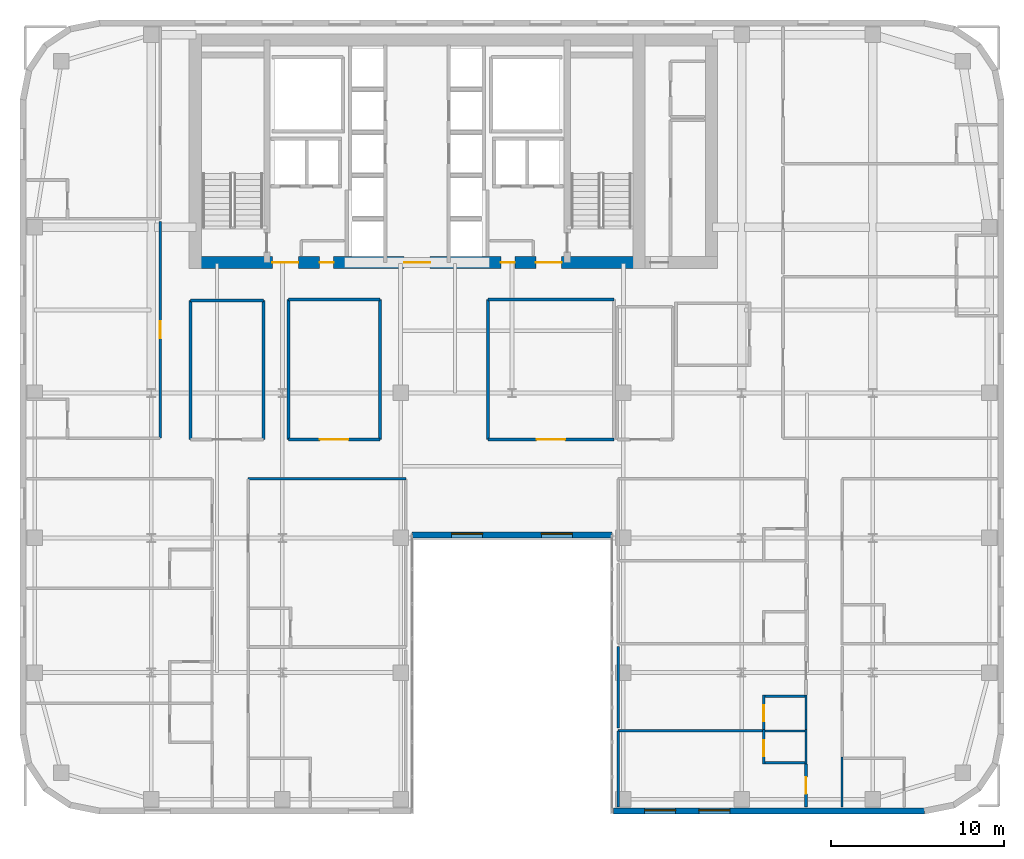
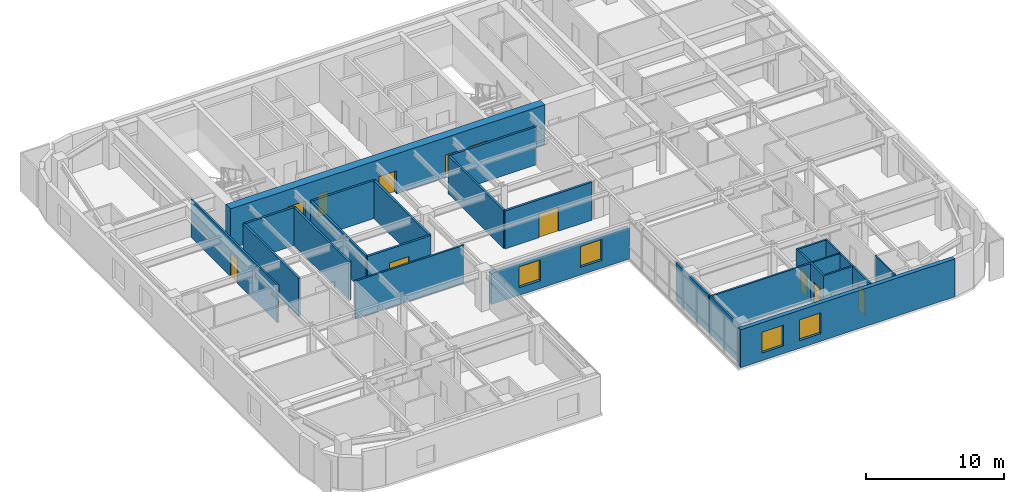
# One storey, part 11 of 16: 27 walls, 11 doors, 4 windows, 15 openings.
"""IFC4 building model written with IfcOpenShell, lengths in metres."""

from ifc_helpers import new_model, si_unit, direction, frame, frame_2d, origin, place, context, subcontext, project, spatial, rectangle, extrude, source, transform, mapped, material, layer, layer_set, type_object, type_shapes, element, fill, save


model = new_model("IFC4")

# Units and contexts
model_context = context("Model", 3, precision=1e-05, world=origin(), true_north=direction((0.0, 1.0)))
body_context = subcontext(model_context, "Body", "Model", "MODEL_VIEW")
ifc_project = project(units=[si_unit("LENGTHUNIT", "METRE"), si_unit("AREAUNIT", "SQUARE_METRE"), si_unit("VOLUMEUNIT", "CUBIC_METRE"), si_unit("PLANEANGLEUNIT", "RADIAN"), si_unit("MASSUNIT", "GRAM", prefix="KILO")], contexts=[model_context])

# Site, building, storey
site_placement = place(None, origin())
site = spatial("IfcSite", under=ifc_project, at=site_placement, CompositionType="ELEMENT")
building_placement = place(site_placement, origin())
building = spatial("IfcBuilding", under=site, at=building_placement, Name="Tolvann Quenvar Hotel", CompositionType="ELEMENT")
storey_placement = place(building_placement, frame((0.0, 0.0, 115.10009765625)))
storey = spatial("IfcBuildingStorey", under=building, at=storey_placement, Name="L29", CompositionType="ELEMENT", Elevation=115.10009765625)

# Wall, openings, doors
ifc_material_1 = material(Name="Concrete S65 (65 MPa)", Category="concrete")
ifc_layer_1 = layer(ifc_material_1, 0.699951171875)
ifc_layer_set_1 = layer_set([ifc_layer_1], Name="Concrete S65 (65 MPa)")
wall_type_1 = type_object("IfcWallType", Name="WALL_CORE_700", PredefinedType="SHEAR", material=ifc_layer_set_1)
wall_1_placement = place(storey_placement, frame((9.800048828125, 31.949951171875, 0.0), z_axis=(0.0, 0.0, 1.0), x_axis=(1.0, 0.0, 0.0)))
wall_1 = element("IfcWall", 1, at=wall_1_placement, inside=storey, type_object=wall_type_1, Name="Rear Core S Shear Wall (L29)", PredefinedType="SHEAR", context=body_context, shape_type="SweptSolid", body=[
    extrude(rectangle(XDim=26.39990234375, YDim=0.699951171875, at=frame_2d((13.199951171875, 0.0))), origin(), (0.0, 0.0, 1.0), 3.5498046875),
])
opening_1_placement = place(wall_1_placement, frame((6.320068359375, 0.0, 0.0), z_axis=(0.0, 0.0, 1.0), x_axis=(-1.0, 0.0, 0.0)))
opening_1 = element("IfcOpeningElement", 2, at=opening_1_placement, cuts=wall_1, Name="Opening FD-60D", PredefinedType="OPENING", context=body_context, shape_type="SweptSolid", body=[
    extrude(rectangle(XDim=1.5, YDim=2.0400390625, at=frame_2d((0.75, 1.02001953125))), frame((0.0, 0.35986328125, 0.0), z_axis=(0.0, -1.0, 0.0), x_axis=(1.0, 0.0, 0.0)), (0.0, 0.0, 1.0), 0.719970703125),
])
opening_2_placement = place(wall_1_placement, frame((13.949951171875, 0.0, 0.0), z_axis=(0.0, 0.0, 1.0), x_axis=(-1.0, 0.0, 0.0)))
opening_2 = element("IfcOpeningElement", 3, at=opening_2_placement, cuts=wall_1, Name="Opening FD-60D", PredefinedType="OPENING", context=body_context, shape_type="SweptSolid", body=[
    extrude(rectangle(XDim=1.5, YDim=2.0400390625, at=frame_2d((0.75, 1.02001953125))), frame((0.0, 0.35986328125, 0.0), z_axis=(0.0, -1.0, 0.0), x_axis=(1.0, 0.0, 0.0)), (0.0, 0.0, 1.0), 0.719970703125),
])
opening_3_placement = place(wall_1_placement, frame((21.580078125, 0.0, 0.0), z_axis=(0.0, 0.0, 1.0), x_axis=(-1.0, 0.0, 0.0)))
opening_3 = element("IfcOpeningElement", 4, at=opening_3_placement, cuts=wall_1, Name="Opening FD-60D", PredefinedType="OPENING", context=body_context, shape_type="SweptSolid", body=[
    extrude(rectangle(XDim=1.5, YDim=2.0400390625, at=frame_2d((0.75, 1.02001953125))), frame((0.0, 0.35986328125, 0.0), z_axis=(0.0, -1.0, 0.0), x_axis=(1.0, 0.0, 0.0)), (0.0, 0.0, 1.0), 0.719970703125),
])
opening_4_placement = place(wall_1_placement, frame((8.3701171875, 0.0, 0.0), z_axis=(0.0, 0.0, 1.0), x_axis=(-1.0, 0.0, 0.0)))
opening_4 = element("IfcOpeningElement", 5, at=opening_4_placement, cuts=wall_1, Name="Opening HD-02", PredefinedType="OPENING", context=body_context, shape_type="SweptSolid", body=[
    extrude(rectangle(XDim=0.820068359375, YDim=2.010009765625, at=frame_2d((0.41015625, 1.0048828125))), frame((0.0, 0.35986328125, 0.0), z_axis=(0.0, -1.0, 0.0), x_axis=(1.0, 0.0, 0.0)), (0.0, 0.0, 1.0), 0.719970703125),
])
opening_5_placement = place(wall_1_placement, frame((18.8701171875, 0.0, 0.0), z_axis=(0.0, 0.0, 1.0), x_axis=(-1.0, 0.0, 0.0)))
opening_5 = element("IfcOpeningElement", 6, at=opening_5_placement, cuts=wall_1, Name="Opening HD-02", PredefinedType="OPENING", context=body_context, shape_type="SweptSolid", body=[
    extrude(rectangle(XDim=0.820068359375, YDim=2.010009765625, at=frame_2d((0.41015625, 1.0048828125))), frame((0.0, 0.35986328125, 0.0), z_axis=(0.0, -1.0, 0.0), x_axis=(1.0, 0.0, 0.0)), (0.0, 0.0, 1.0), 0.719970703125),
])
ifc_material_2 = material(Name="Solid-core American oak acoustic fire door leaf in steel frame", Category="steel")
door_type_1 = type_object("IfcDoorType", Name="DOOR_FIRE_LOBBY_1500", OperationType="NOTDEFINED", PredefinedType="DOOR", material=ifc_material_2)
shared_shape_1 = source(origin(), body_context, "Body", "SweptSolid", [
    extrude(rectangle(XDim=1.5, YDim=2.0400390625, at=frame_2d((0.75, 1.02001953125))), frame((0.0, 0.02490234375, 0.0), z_axis=(0.0, -1.0, 0.0), x_axis=(1.0, 0.0, 0.0)), (0.0, 0.0, 1.0), 0.050048828125),
])
type_shapes(door_type_1, [shared_shape_1])
door_1_placement = place(opening_1_placement, origin())
door_1 = element("IfcDoor", 7, at=door_1_placement, inside=storey, type_object=door_type_1, Name="Core Lobby Fire Door FFW (L29)", OperationType="DOUBLE_DOOR_SINGLE_SWING", OverallHeight=2.0400390625, OverallWidth=1.5, PredefinedType="DOOR", context=body_context, shape_type="MappedRepresentation", body=[
    mapped(shared_shape_1, transform((0.0, 0.0, 0.0), x_axis=(1.0, 0.0, 0.0), y_axis=(0.0, 1.0, 0.0), z_axis=(0.0, 0.0, 1.0), scale=1.0)),
])
fill(opening_1, door_1)
door_2_placement = place(opening_2_placement, origin())
door_2 = element("IfcDoor", 8, at=door_2_placement, inside=storey, type_object=door_type_1, Name="Core Lobby Fire Door CLOB (L29)", OperationType="DOUBLE_DOOR_SINGLE_SWING", OverallHeight=2.0400390625, OverallWidth=1.5, PredefinedType="DOOR", context=body_context, shape_type="MappedRepresentation", body=[
    mapped(shared_shape_1, transform((0.0, 0.0, 0.0), x_axis=(1.0, 0.0, 0.0), y_axis=(0.0, 1.0, 0.0), z_axis=(0.0, 0.0, 1.0), scale=1.0)),
])
fill(opening_2, door_2)
door_3_placement = place(opening_3_placement, origin())
door_3 = element("IfcDoor", 9, at=door_3_placement, inside=storey, type_object=door_type_1, Name="Core Lobby Fire Door FFE (L29)", OperationType="DOUBLE_DOOR_SINGLE_SWING", OverallHeight=2.0400390625, OverallWidth=1.5, PredefinedType="DOOR", context=body_context, shape_type="MappedRepresentation", body=[
    mapped(shared_shape_1, transform((0.0, 0.0, 0.0), x_axis=(1.0, 0.0, 0.0), y_axis=(0.0, 1.0, 0.0), z_axis=(0.0, 0.0, 1.0), scale=1.0)),
])
fill(opening_3, door_3)
ifc_material_3 = material(Name="Pressed galvanised steel fire-rated door set", Category="steel")
door_type_2 = type_object("IfcDoorType", Name="DOOR_STORE_820", OperationType="NOTDEFINED", PredefinedType="DOOR", material=ifc_material_3)
shared_shape_2 = source(origin(), body_context, "Body", "SweptSolid", [
    extrude(rectangle(XDim=0.820068359375, YDim=2.010009765625, at=frame_2d((0.41015625, 1.0048828125))), frame((0.0, 0.02490234375, 0.0), z_axis=(0.0, -1.0, 0.0), x_axis=(1.0, 0.0, 0.0)), (0.0, 0.0, 1.0), 0.050048828125),
])
type_shapes(door_type_2, [shared_shape_2])
door_4_placement = place(opening_4_placement, origin())
door_4 = element("IfcDoor", 10, at=door_4_placement, inside=storey, type_object=door_type_2, Name="Core Linen Store Fire Door (L29)", OperationType="SINGLE_SWING_LEFT", OverallHeight=2.010009765625, OverallWidth=0.820068359375, PredefinedType="DOOR", context=body_context, shape_type="MappedRepresentation", body=[
    mapped(shared_shape_2, transform((0.0, 0.0, 0.0), x_axis=(1.0, 0.0, 0.0), y_axis=(0.0, 1.0, 0.0), z_axis=(0.0, 0.0, 1.0), scale=1.0)),
])
fill(opening_4, door_4)
door_5_placement = place(opening_5_placement, origin())
door_5 = element("IfcDoor", 11, at=door_5_placement, inside=storey, type_object=door_type_2, Name="Core Comms Closet Fire Door (L29)", OperationType="SINGLE_SWING_RIGHT", OverallHeight=2.010009765625, OverallWidth=0.820068359375, PredefinedType="DOOR", context=body_context, shape_type="MappedRepresentation", body=[
    mapped(shared_shape_2, transform((0.0, 0.0, 0.0), x_axis=(1.0, 0.0, 0.0), y_axis=(0.0, 1.0, 0.0), z_axis=(0.0, 0.0, 1.0), scale=1.0)),
])
fill(opening_5, door_5)

# Wall, openings, windows
ifc_material_4 = material(Name="Kiln-fired red and buff architectural clay brickwork and terracotta masonry", Category="masonry")
ifc_layer_2 = layer(ifc_material_4, 0.35009765625)
ifc_layer_set_2 = layer_set([ifc_layer_2], Name="Kiln-fired red and buff architectural clay brickwork and terracotta masonry")
wall_type_2 = type_object("IfcWallType", Name="WALL_EXT_BRICK_350", PredefinedType="SOLIDWALL", material=ifc_layer_set_2)
wall_2_placement = place(storey_placement, frame((22.7099609375, 16.175048828125, 0.0), z_axis=(0.0, 0.0, 1.0), x_axis=(1.0, 0.0, 0.0)))
wall_2 = element("IfcWall", 12, at=wall_2_placement, inside=storey, type_object=wall_type_2, Name="Exterior Chicago Brick Wall L29-E06", PredefinedType="SOLIDWALL", context=body_context, shape_type="SweptSolid", body=[
    extrude(rectangle(XDim=11.580078125, YDim=0.35009765625, at=frame_2d((5.7900390625, 0.0))), origin(), (0.0, 0.0, 1.0), 2.747802734375),
])
opening_6_placement = place(wall_2_placement, frame((2.294921875, 0.0, 0.679931640625)))
opening_6 = element("IfcOpeningElement", 13, at=opening_6_placement, cuts=wall_2, Name="Opening W-03", PredefinedType="OPENING", context=body_context, shape_type="SweptSolid", body=[
    extrude(rectangle(XDim=1.800048828125, YDim=1.85009765625, at=frame_2d((0.89990234375, 0.925048828125))), frame((0.0, 0.18505859375, 0.0), z_axis=(0.0, -1.0, 0.0), x_axis=(1.0, 0.0, 0.0)), (0.0, 0.0, 1.0), 0.3701171875),
])
opening_7_placement = place(wall_2_placement, frame((7.485107421875, 0.0, 0.679931640625)))
opening_7 = element("IfcOpeningElement", 14, at=opening_7_placement, cuts=wall_2, Name="Opening W-03", PredefinedType="OPENING", context=body_context, shape_type="SweptSolid", body=[
    extrude(rectangle(XDim=1.800048828125, YDim=1.85009765625, at=frame_2d((0.89990234375, 0.925048828125))), frame((0.0, 0.18505859375, 0.0), z_axis=(0.0, -1.0, 0.0), x_axis=(1.0, 0.0, 0.0)), (0.0, 0.0, 1.0), 0.3701171875),
])
ifc_material_5 = material(Name="Thermally broken bronze-anodised aluminium frame with double low-E glazing", Category="aluminium")
window_type = type_object("IfcWindowType", Name="WIN_CHI_1800x2050", PartitioningType="TRIPLE_PANEL_HORIZONTAL", PredefinedType="WINDOW", material=ifc_material_5)
shared_shape_3 = source(origin(), body_context, "Body", "SweptSolid", [
    extrude(rectangle(XDim=1.800048828125, YDim=1.85009765625, at=frame_2d((0.89990234375, 0.925048828125))), frame((0.0, 0.090087890625, 0.0), z_axis=(0.0, -1.0, 0.0), x_axis=(1.0, 0.0, 0.0)), (0.0, 0.0, 1.0), 0.06005859375),
])
type_shapes(window_type, [shared_shape_3])
window_1_placement = place(opening_6_placement, origin())
window_1 = element("IfcWindow", 15, at=window_1_placement, inside=storey, type_object=window_type, Name="Chicago Window W-03 (EW-L29-E06-W01)", OverallHeight=1.85009765625, OverallWidth=1.800048828125, PartitioningType="TRIPLE_PANEL_HORIZONTAL", PredefinedType="WINDOW", context=body_context, shape_type="MappedRepresentation", body=[
    mapped(shared_shape_3, transform((0.0, 0.0, 0.0), x_axis=(1.0, 0.0, 0.0), y_axis=(0.0, 1.0, 0.0), z_axis=(0.0, 0.0, 1.0), scale=1.0)),
])
fill(opening_6, window_1)
window_2_placement = place(opening_7_placement, origin())
window_2 = element("IfcWindow", 16, at=window_2_placement, inside=storey, type_object=window_type, Name="Chicago Window W-03 (EW-L29-E06-W02)", OverallHeight=1.85009765625, OverallWidth=1.800048828125, PartitioningType="TRIPLE_PANEL_HORIZONTAL", PredefinedType="WINDOW", context=body_context, shape_type="MappedRepresentation", body=[
    mapped(shared_shape_3, transform((0.0, 0.0, 0.0), x_axis=(1.0, 0.0, 0.0), y_axis=(0.0, 1.0, 0.0), z_axis=(0.0, 0.0, 1.0), scale=1.0)),
])
fill(opening_7, window_2)

wall_3_placement = place(storey_placement, frame((34.375, 0.175048828125, 0.0), z_axis=(0.0, 0.0, 1.0), x_axis=(1.0, 0.0, 0.0)))
wall_3 = element("IfcWall", 17, at=wall_3_placement, inside=storey, type_object=wall_type_2, Name="Exterior Chicago Brick Wall L29-E08", PredefinedType="SOLIDWALL", context=body_context, shape_type="SweptSolid", body=[
    extrude(rectangle(XDim=18.0078125, YDim=0.35009765625, at=frame_2d((9.00390625, 0.0))), origin(), (0.0, 0.0, 1.0), 3.369873046875),
])
opening_8_placement = place(wall_3_placement, frame((1.801025390625, 0.0, 0.679931640625)))
opening_8 = element("IfcOpeningElement", 18, at=opening_8_placement, cuts=wall_3, Name="Opening W-03", PredefinedType="OPENING", context=body_context, shape_type="SweptSolid", body=[
    extrude(rectangle(XDim=1.800048828125, YDim=1.85009765625, at=frame_2d((0.89990234375, 0.925048828125))), frame((0.0, 0.18505859375, 0.0), z_axis=(0.0, -1.0, 0.0), x_axis=(1.0, 0.0, 0.0)), (0.0, 0.0, 1.0), 0.3701171875),
])
opening_9_placement = place(wall_3_placement, frame((4.952880859375, 0.0, 0.679931640625)))
opening_9 = element("IfcOpeningElement", 19, at=opening_9_placement, cuts=wall_3, Name="Opening W-03", PredefinedType="OPENING", context=body_context, shape_type="SweptSolid", body=[
    extrude(rectangle(XDim=1.800048828125, YDim=1.85009765625, at=frame_2d((0.89990234375, 0.925048828125))), frame((0.0, 0.18505859375, 0.0), z_axis=(0.0, -1.0, 0.0), x_axis=(1.0, 0.0, 0.0)), (0.0, 0.0, 1.0), 0.3701171875),
])
window_3_placement = place(opening_8_placement, origin())
window_3 = element("IfcWindow", 20, at=window_3_placement, inside=storey, type_object=window_type, Name="Chicago Window W-03 (EW-L29-E08-W01)", OverallHeight=1.85009765625, OverallWidth=1.800048828125, PartitioningType="TRIPLE_PANEL_HORIZONTAL", PredefinedType="WINDOW", context=body_context, shape_type="MappedRepresentation", body=[
    mapped(shared_shape_3, transform((0.0, 0.0, 0.0), x_axis=(1.0, 0.0, 0.0), y_axis=(0.0, 1.0, 0.0), z_axis=(0.0, 0.0, 1.0), scale=1.0)),
])
fill(opening_8, window_3)
window_4_placement = place(opening_9_placement, origin())
window_4 = element("IfcWindow", 21, at=window_4_placement, inside=storey, type_object=window_type, Name="Chicago Window W-03 (EW-L29-E08-W02)", OverallHeight=1.85009765625, OverallWidth=1.800048828125, PartitioningType="TRIPLE_PANEL_HORIZONTAL", PredefinedType="WINDOW", context=body_context, shape_type="MappedRepresentation", body=[
    mapped(shared_shape_3, transform((0.0, 0.0, 0.0), x_axis=(1.0, 0.0, 0.0), y_axis=(0.0, 1.0, 0.0), z_axis=(0.0, 0.0, 1.0), scale=1.0)),
])
fill(opening_9, window_4)

# Walls
ifc_material_6 = material(Name="Acoustic twin-stud fire-rated gypsum plasterboard partition")
ifc_layer_3 = layer(ifc_material_6, 0.179931640625)
ifc_layer_set_3 = layer_set([ifc_layer_3], Name="Acoustic twin-stud fire-rated gypsum plasterboard partition")
wall_type_3 = type_object("IfcWallType", Name="WALL_PART_ACOUSTIC_180", PredefinedType="PARTITIONING", material=ifc_layer_set_3)
wall_4_placement = place(storey_placement, frame((9.8798828125, 29.75, 0.0), z_axis=(0.0, 0.0, 1.0), x_axis=(1.0, 0.0, 0.0)))
element("IfcWall", 22, at=wall_4_placement, inside=storey, type_object=wall_type_3, Name="Interior Partition PT-SPC-L29-MSP-W-N", PredefinedType="PARTITIONING", context=body_context, shape_type="SweptSolid", body=[
    extrude(rectangle(XDim=4.22021484375, YDim=0.179931640625, at=frame_2d((2.110107421875, 0.0))), origin(), (0.0, 0.0, 1.0), 3.369873046875),
])
for number, where, z_axis, x_axis, name in (
    (23, (9.8798828125, 21.699951171875, 0.0), (0.0, 0.0, 1.0), (0.0, 1.0, 0.0), "Interior Partition PT-SPC-L29-MSP-W-W"),
    (24, (14.10009765625, 21.699951171875, 0.0), (0.0, 0.0, 1.0), (0.0, 1.0, 0.0), "Interior Partition PT-SPC-L29-MSP-W-E"),
):
    element("IfcWall", number, at=place(storey_placement, frame(where, z_axis=z_axis, x_axis=x_axis)), inside=storey, type_object=wall_type_3, Name=name, PredefinedType="PARTITIONING", context=body_context, shape_type="SweptSolid", body=[
        extrude(rectangle(XDim=8.050048828125, YDim=0.179931640625, at=frame_2d((4.02490234375, 0.0))), origin(), (0.0, 0.0, 1.0), 3.369873046875),
    ])

# Wall, opening, door
wall_5_placement = place(storey_placement, frame((27.10009765625, 21.699951171875, 0.0), z_axis=(0.0, 0.0, 1.0), x_axis=(1.0, 0.0, 0.0)))
wall_5 = element("IfcWall", 25, at=wall_5_placement, inside=storey, type_object=wall_type_3, Name="Interior Partition PT-SPC-L29-MSP-C-S", PredefinedType="PARTITIONING", context=body_context, shape_type="SweptSolid", body=[
    extrude(rectangle(XDim=7.2998046875, YDim=0.179931640625, at=frame_2d((3.64990234375, 0.0))), origin(), (0.0, 0.0, 1.0), 3.369873046875),
])
opening_10_placement = place(wall_5_placement, frame((2.824951171875, 0.0, 0.0)))
opening_10 = element("IfcOpeningElement", 26, at=opening_10_placement, cuts=wall_5, Name="Opening AD-01", PredefinedType="OPENING", context=body_context, shape_type="SweptSolid", body=[
    extrude(rectangle(XDim=1.64990234375, YDim=2.14990234375, at=frame_2d((0.824951171875, 1.074951171875))), frame((0.0, 0.10009765625, 0.0), z_axis=(0.0, -1.0, 0.0), x_axis=(1.0, 0.0, 0.0)), (0.0, 0.0, 1.0), 0.199951171875),
])
door_type_3 = type_object("IfcDoorType", Name="DOOR_SALON_1650", OperationType="NOTDEFINED", PredefinedType="DOOR", material=ifc_material_2)
shared_shape_4 = source(origin(), body_context, "Body", "SweptSolid", [
    extrude(rectangle(XDim=1.64990234375, YDim=2.14990234375, at=frame_2d((0.824951171875, 1.074951171875))), frame((0.0, 0.02490234375, 0.0), z_axis=(0.0, -1.0, 0.0), x_axis=(1.0, 0.0, 0.0)), (0.0, 0.0, 1.0), 0.050048828125),
])
type_shapes(door_type_3, [shared_shape_4])
door_6_placement = place(opening_10_placement, origin())
door_6 = element("IfcDoor", 27, at=door_6_placement, inside=storey, type_object=door_type_3, Name="Interior Door DOOR-SPC-L29-MSP-C", OperationType="DOUBLE_DOOR_SINGLE_SWING", OverallHeight=2.14990234375, OverallWidth=1.64990234375, PredefinedType="DOOR", context=body_context, shape_type="MappedRepresentation", body=[
    mapped(shared_shape_4, transform((0.0, 0.0, 0.0), x_axis=(1.0, 0.0, 0.0), y_axis=(0.0, 1.0, 0.0), z_axis=(0.0, 0.0, 1.0), scale=1.0)),
])
fill(opening_10, door_6)

# Walls
wall_6_placement = place(storey_placement, frame((27.10009765625, 29.800048828125, 0.0), z_axis=(0.0, 0.0, 1.0), x_axis=(1.0, 0.0, 0.0)))
element("IfcWall", 28, at=wall_6_placement, inside=storey, type_object=wall_type_3, Name="Interior Partition PT-SPC-L29-MSP-C-N", PredefinedType="PARTITIONING", context=body_context, shape_type="SweptSolid", body=[
    extrude(rectangle(XDim=7.2998046875, YDim=0.179931640625, at=frame_2d((3.64990234375, 0.0))), origin(), (0.0, 0.0, 1.0), 3.369873046875),
])
wall_7_placement = place(storey_placement, frame((27.10009765625, 21.699951171875, 0.0), z_axis=(0.0, 0.0, 1.0), x_axis=(0.0, 1.0, 0.0)))
element("IfcWall", 29, at=wall_7_placement, inside=storey, type_object=wall_type_3, Name="Interior Partition PT-SPC-L29-MSP-C-W", PredefinedType="PARTITIONING", context=body_context, shape_type="SweptSolid", body=[
    extrude(rectangle(XDim=8.10009765625, YDim=0.179931640625, at=frame_2d((4.050048828125, 0.0))), origin(), (0.0, 0.0, 1.0), 3.369873046875),
])

# Wall, opening, door
wall_8_placement = place(storey_placement, frame((15.550048828125, 21.699951171875, 0.0), z_axis=(0.0, 0.0, 1.0), x_axis=(1.0, 0.0, 0.0)))
wall_8 = element("IfcWall", 30, at=wall_8_placement, inside=storey, type_object=wall_type_3, Name="Interior Partition PT-SPC-L29-MSP-N-S", PredefinedType="PARTITIONING", context=body_context, shape_type="SweptSolid", body=[
    extrude(rectangle(XDim=5.300048828125, YDim=0.179931640625, at=frame_2d((2.64990234375, 0.0))), origin(), (0.0, 0.0, 1.0), 3.369873046875),
])
opening_11_placement = place(wall_8_placement, frame((1.824951171875, 0.0, 0.0)))
opening_11 = element("IfcOpeningElement", 31, at=opening_11_placement, cuts=wall_8, Name="Opening AD-01", PredefinedType="OPENING", context=body_context, shape_type="SweptSolid", body=[
    extrude(rectangle(XDim=1.64990234375, YDim=2.14990234375, at=frame_2d((0.824951171875, 1.074951171875))), frame((0.0, 0.10009765625, 0.0), z_axis=(0.0, -1.0, 0.0), x_axis=(1.0, 0.0, 0.0)), (0.0, 0.0, 1.0), 0.199951171875),
])
door_7_placement = place(opening_11_placement, origin())
door_7 = element("IfcDoor", 32, at=door_7_placement, inside=storey, type_object=door_type_3, Name="Interior Door DOOR-SPC-L29-MSP-N", OperationType="DOUBLE_DOOR_SINGLE_SWING", OverallHeight=2.14990234375, OverallWidth=1.64990234375, PredefinedType="DOOR", context=body_context, shape_type="MappedRepresentation", body=[
    mapped(shared_shape_4, transform((0.0, 0.0, 0.0), x_axis=(1.0, 0.0, 0.0), y_axis=(0.0, 1.0, 0.0), z_axis=(0.0, 0.0, 1.0), scale=1.0)),
])
fill(opening_11, door_7)

# Walls
wall_9_placement = place(storey_placement, frame((15.550048828125, 29.800048828125, 0.0), z_axis=(0.0, 0.0, 1.0), x_axis=(1.0, 0.0, 0.0)))
element("IfcWall", 33, at=wall_9_placement, inside=storey, type_object=wall_type_3, Name="Interior Partition PT-SPC-L29-MSP-N-N", PredefinedType="PARTITIONING", context=body_context, shape_type="SweptSolid", body=[
    extrude(rectangle(XDim=5.300048828125, YDim=0.179931640625, at=frame_2d((2.64990234375, 0.0))), origin(), (0.0, 0.0, 1.0), 3.369873046875),
])
for number, where, z_axis, x_axis, name in (
    (34, (15.550048828125, 21.699951171875, 0.0), (0.0, 0.0, 1.0), (0.0, 1.0, 0.0), "Interior Partition PT-SPC-L29-MSP-N-W"),
    (35, (20.85009765625, 21.699951171875, 0.0), (0.0, 0.0, 1.0), (0.0, 1.0, 0.0), "Interior Partition PT-SPC-L29-MSP-N-E"),
):
    element("IfcWall", number, at=place(storey_placement, frame(where, z_axis=z_axis, x_axis=x_axis)), inside=storey, type_object=wall_type_3, Name=name, PredefinedType="PARTITIONING", context=body_context, shape_type="SweptSolid", body=[
        extrude(rectangle(XDim=8.10009765625, YDim=0.179931640625, at=frame_2d((4.050048828125, 0.0))), origin(), (0.0, 0.0, 1.0), 3.369873046875),
    ])
ifc_material_7 = material(Name="Moisture-resistant acoustic plumbing wall assembly")
ifc_layer_4 = layer(ifc_material_7, 0.1201171875)
ifc_layer_set_4 = layer_set([ifc_layer_4], Name="Moisture-resistant acoustic plumbing wall assembly")
wall_type_4 = type_object("IfcWallType", Name="WALL_PART_BATH_120", PredefinedType="PLUMBINGWALL", material=ifc_layer_set_4)
wall_10_placement = place(storey_placement, frame((43.010009765625, 4.820068359375, 0.0), z_axis=(0.0, 0.0, 1.0), x_axis=(1.0, 0.0, 0.0)))
element("IfcWall", 36, at=wall_10_placement, inside=storey, type_object=wall_type_4, Name="Non-Rated Plumbing Partition PT-SPC-L29-ENS-EI01-N", PredefinedType="PLUMBINGWALL", context=body_context, shape_type="SweptSolid", body=[
    extrude(rectangle(XDim=2.590087890625, YDim=0.1201171875, at=frame_2d((1.294921875, 0.0))), origin(), (0.0, 0.0, 1.0), 3.369873046875),
])
for number, where, z_axis, x_axis, name in (
    (37, (45.530029296875, 2.89990234375, 0.0), (0.0, 0.0, 1.0), (0.0, 1.0, 0.0), "Non-Rated Plumbing Partition PT-SPC-L29-ENS-EI01-E"),
    (38, (45.530029296875, 4.909912109375, 0.0), (0.0, 0.0, 1.0), (0.0, 1.0, 0.0), "Non-Rated Plumbing Partition PT-SPC-L29-ENS-EI02-E"),
):
    element("IfcWall", number, at=place(storey_placement, frame(where, z_axis=z_axis, x_axis=x_axis)), inside=storey, type_object=wall_type_4, Name=name, PredefinedType="PLUMBINGWALL", context=body_context, shape_type="SweptSolid", body=[
        extrude(rectangle(XDim=1.989990234375, YDim=0.1201171875, at=frame_2d((0.9951171875, 0.0))), origin(), (0.0, 0.0, 1.0), 3.369873046875),
    ])
wall_11_placement = place(storey_placement, frame((47.6201171875, 0.405029296875, 0.0), z_axis=(0.0, 0.0, 1.0), x_axis=(0.0, 1.0, 0.0)))
element("IfcWall", 39, at=wall_11_placement, inside=storey, type_object=wall_type_4, Name="Non-Rated Plumbing Partition PT-SPC-L29-ENS-EO01-W", PredefinedType="PLUMBINGWALL", context=body_context, shape_type="SweptSolid", body=[
    extrude(rectangle(XDim=2.89501953125, YDim=0.1201171875, at=frame_2d((1.447509765625, 0.0))), origin(), (0.0, 0.0, 1.0), 3.369873046875),
])

# Wall, opening, door
ifc_layer_5 = layer(ifc_material_6, 0.14990234375)
ifc_layer_set_5 = layer_set([ifc_layer_5], Name="Acoustic twin-stud fire-rated gypsum plasterboard partition")
wall_type_5 = type_object("IfcWallType", Name="WALL_PART_SUITE_150", PredefinedType="PARTITIONING", material=ifc_layer_set_5)
wall_12_placement = place(storey_placement, frame((43.080078125, 2.89990234375, 0.0), z_axis=(0.0, 0.0, 1.0), x_axis=(0.0, 1.0, 0.0)))
wall_12 = element("IfcWall", 40, at=wall_12_placement, inside=storey, type_object=wall_type_5, Name="Interior Partition PT-SPC-L29-ENS-EI01-ENT", PredefinedType="PARTITIONING", context=body_context, shape_type="SweptSolid", body=[
    extrude(rectangle(XDim=1.989990234375, YDim=0.14990234375, at=frame_2d((0.9951171875, 0.0))), origin(), (0.0, 0.0, 1.0), 3.369873046875),
])
opening_12_placement = place(wall_12_placement, frame((0.465087890625, 0.0, 0.0)))
opening_12 = element("IfcOpeningElement", 41, at=opening_12_placement, cuts=wall_12, Name="Opening WD-01", PredefinedType="OPENING", context=body_context, shape_type="SweptSolid", body=[
    extrude(rectangle(XDim=0.919921875, YDim=2.010009765625, at=frame_2d((0.4599609375, 1.0048828125))), frame((0.0, 0.0849609375, 0.0), z_axis=(0.0, -1.0, 0.0), x_axis=(1.0, 0.0, 0.0)), (0.0, 0.0, 1.0), 0.169921875),
])
door_type_4 = type_object("IfcDoorType", Name="DOOR_WC_920", OperationType="NOTDEFINED", PredefinedType="DOOR", material=ifc_material_2)
shared_shape_5 = source(origin(), body_context, "Body", "SweptSolid", [
    extrude(rectangle(XDim=0.919921875, YDim=2.010009765625, at=frame_2d((0.4599609375, 1.0048828125))), frame((0.0, 0.02490234375, 0.0), z_axis=(0.0, -1.0, 0.0), x_axis=(1.0, 0.0, 0.0)), (0.0, 0.0, 1.0), 0.050048828125),
])
type_shapes(door_type_4, [shared_shape_5])
door_8_placement = place(opening_12_placement, origin())
door_8 = element("IfcDoor", 42, at=door_8_placement, inside=storey, type_object=door_type_4, Name="Interior Door DOOR-SPC-L29-ENS-EI01", OperationType="SINGLE_SWING_RIGHT", OverallHeight=2.010009765625, OverallWidth=0.919921875, PredefinedType="DOOR", context=body_context, shape_type="MappedRepresentation", body=[
    mapped(shared_shape_5, transform((0.0, 0.0, 0.0), x_axis=(1.0, 0.0, 0.0), y_axis=(0.0, 1.0, 0.0), z_axis=(0.0, 0.0, 1.0), scale=1.0)),
])
fill(opening_12, door_8)

# Wall
wall_13_placement = place(storey_placement, frame((43.010009765625, 2.969970703125, 0.0), z_axis=(0.0, 0.0, 1.0), x_axis=(1.0, 0.0, 0.0)))
element("IfcWall", 43, at=wall_13_placement, inside=storey, type_object=wall_type_5, Name="Interior Partition PT-SPC-L29-ENS-EI01-S", PredefinedType="PARTITIONING", context=body_context, shape_type="SweptSolid", body=[
    extrude(rectangle(XDim=2.590087890625, YDim=0.14990234375, at=frame_2d((1.294921875, 0.0))), origin(), (0.0, 0.0, 1.0), 3.369873046875),
])

# Wall, opening, door
wall_14_placement = place(storey_placement, frame((43.080078125, 4.909912109375, 0.0), z_axis=(0.0, 0.0, 1.0), x_axis=(0.0, 1.0, 0.0)))
wall_14 = element("IfcWall", 44, at=wall_14_placement, inside=storey, type_object=wall_type_5, Name="Interior Partition PT-SPC-L29-ENS-EI02-ENT", PredefinedType="PARTITIONING", context=body_context, shape_type="SweptSolid", body=[
    extrude(rectangle(XDim=1.989990234375, YDim=0.14990234375, at=frame_2d((0.9951171875, 0.0))), origin(), (0.0, 0.0, 1.0), 3.369873046875),
])
opening_13_placement = place(wall_14_placement, frame((0.465087890625, 0.0, 0.0)))
opening_13 = element("IfcOpeningElement", 45, at=opening_13_placement, cuts=wall_14, Name="Opening WD-01", PredefinedType="OPENING", context=body_context, shape_type="SweptSolid", body=[
    extrude(rectangle(XDim=0.919921875, YDim=2.010009765625, at=frame_2d((0.4599609375, 1.0048828125))), frame((0.0, 0.0849609375, 0.0), z_axis=(0.0, -1.0, 0.0), x_axis=(1.0, 0.0, 0.0)), (0.0, 0.0, 1.0), 0.169921875),
])
door_9_placement = place(opening_13_placement, origin())
door_9 = element("IfcDoor", 46, at=door_9_placement, inside=storey, type_object=door_type_4, Name="Interior Door DOOR-SPC-L29-ENS-EI02", OperationType="SINGLE_SWING_LEFT", OverallHeight=2.010009765625, OverallWidth=0.919921875, PredefinedType="DOOR", context=body_context, shape_type="MappedRepresentation", body=[
    mapped(shared_shape_5, transform((0.0, 0.0, 0.0), x_axis=(1.0, 0.0, 0.0), y_axis=(0.0, 1.0, 0.0), z_axis=(0.0, 0.0, 1.0), scale=1.0)),
])
fill(opening_13, door_9)

# Walls
wall_15_placement = place(storey_placement, frame((43.010009765625, 6.830078125, 0.0), z_axis=(0.0, 0.0, 1.0), x_axis=(1.0, 0.0, 0.0)))
element("IfcWall", 47, at=wall_15_placement, inside=storey, type_object=wall_type_5, Name="Interior Partition PT-SPC-L29-ENS-EI02-N", PredefinedType="PARTITIONING", context=body_context, shape_type="SweptSolid", body=[
    extrude(rectangle(XDim=2.590087890625, YDim=0.14990234375, at=frame_2d((1.294921875, 0.0))), origin(), (0.0, 0.0, 1.0), 3.369873046875),
])
wall_16_placement = place(storey_placement, frame((13.219970703125, 19.419921875, 0.0), z_axis=(0.0, 0.0, 1.0), x_axis=(1.0, 0.0, 0.0)))
element("IfcWall", 48, at=wall_16_placement, inside=storey, type_object=wall_type_5, Name="Interior Partition PT-SPC-L29-RM-WI02-E5", PredefinedType="PARTITIONING", context=body_context, shape_type="SweptSolid", body=[
    extrude(rectangle(XDim=9.130126953125, YDim=0.14990234375, at=frame_2d((4.56494140625, 0.0))), origin(), (0.0, 0.0, 1.0), 3.369873046875),
])

# Wall, opening, door
wall_17_placement = place(storey_placement, frame((45.530029296875, 0.405029296875, 0.0), z_axis=(0.0, 0.0, 1.0), x_axis=(0.0, 1.0, 0.0)))
wall_17 = element("IfcWall", 49, at=wall_17_placement, inside=storey, type_object=wall_type_5, Name="Interior Partition PT-SPC-L29-RM-EI01-ENT", PredefinedType="PARTITIONING", context=body_context, shape_type="SweptSolid", body=[
    extrude(rectangle(XDim=2.48486328125, YDim=0.14990234375, at=frame_2d((1.242431640625, 0.0))), origin(), (0.0, 0.0, 1.0), 3.369873046875),
])
opening_14_placement = place(wall_17_placement, frame((0.760009765625, 0.0, 0.0)))
opening_14 = element("IfcOpeningElement", 50, at=opening_14_placement, cuts=wall_17, Name="Opening SD-01", PredefinedType="OPENING", context=body_context, shape_type="SweptSolid", body=[
    extrude(rectangle(XDim=0.97998046875, YDim=2.1201171875, at=frame_2d((0.489990234375, 1.06005859375))), frame((0.0, 0.0849609375, 0.0), z_axis=(0.0, -1.0, 0.0), x_axis=(1.0, 0.0, 0.0)), (0.0, 0.0, 1.0), 0.169921875),
])
door_type_5 = type_object("IfcDoorType", Name="DOOR_SUITE_980", OperationType="NOTDEFINED", PredefinedType="DOOR", material=ifc_material_2)
shared_shape_6 = source(origin(), body_context, "Body", "SweptSolid", [
    extrude(rectangle(XDim=0.97998046875, YDim=2.1201171875, at=frame_2d((0.489990234375, 1.06005859375))), frame((0.0, 0.02490234375, 0.0), z_axis=(0.0, -1.0, 0.0), x_axis=(1.0, 0.0, 0.0)), (0.0, 0.0, 1.0), 0.050048828125),
])
type_shapes(door_type_5, [shared_shape_6])
door_10_placement = place(opening_14_placement, origin())
door_10 = element("IfcDoor", 51, at=door_10_placement, inside=storey, type_object=door_type_5, Name="Interior Door DOOR-SPC-L29-RM-EI01", OperationType="SINGLE_SWING_RIGHT", OverallHeight=2.1201171875, OverallWidth=0.97998046875, PredefinedType="DOOR", context=body_context, shape_type="MappedRepresentation", body=[
    mapped(shared_shape_6, transform((0.0, 0.0, 0.0), x_axis=(1.0, 0.0, 0.0), y_axis=(0.0, 1.0, 0.0), z_axis=(0.0, 0.0, 1.0), scale=1.0)),
])
fill(opening_14, door_10)

# Walls
wall_18_placement = place(storey_placement, frame((34.64990234375, 4.820068359375, 0.0), z_axis=(0.0, 0.0, 1.0), x_axis=(1.0, 0.0, 0.0)))
element("IfcWall", 52, at=wall_18_placement, inside=storey, type_object=wall_type_5, Name="Interior Partition PT-SPC-L29-RM-EI01-E5", PredefinedType="PARTITIONING", context=body_context, shape_type="SweptSolid", body=[
    extrude(rectangle(XDim=8.41015625, YDim=0.14990234375, at=frame_2d((4.205078125, 0.0))), origin(), (0.0, 0.0, 1.0), 3.369873046875),
])
wall_19_placement = place(storey_placement, frame((34.64990234375, 0.405029296875, 0.0), z_axis=(0.0, 0.0, 1.0), x_axis=(0.0, 1.0, 0.0)))
element("IfcWall", 53, at=wall_19_placement, inside=storey, type_object=wall_type_5, Name="Interior Partition PT-SPC-L29-RM-EI01-E6", PredefinedType="PARTITIONING", context=body_context, shape_type="SweptSolid", body=[
    extrude(rectangle(XDim=4.4150390625, YDim=0.14990234375, at=frame_2d((2.20751953125, 0.0))), origin(), (0.0, 0.0, 1.0), 3.369873046875),
])
wall_20_placement = place(storey_placement, frame((34.64990234375, 4.97998046875, 0.0), z_axis=(0.0, 0.0, 1.0), x_axis=(0.0, 1.0, 0.0)))
element("IfcWall", 54, at=wall_20_placement, inside=storey, type_object=wall_type_5, Name="Interior Partition PT-SPC-L29-RM-EI02-E6", PredefinedType="PARTITIONING", context=body_context, shape_type="SweptSolid", body=[
    extrude(rectangle(XDim=4.739990234375, YDim=0.14990234375, at=frame_2d((2.3701171875, 0.0))), origin(), (0.0, 0.0, 1.0), 3.369873046875),
])

# Wall, opening, door
wall_21_placement = place(storey_placement, frame((8.1201171875, 21.780029296875, 0.0), z_axis=(0.0, 0.0, 1.0), x_axis=(0.0, 1.0, 0.0)))
wall_21 = element("IfcWall", 55, at=wall_21_placement, inside=storey, type_object=wall_type_5, Name="Interior Partition PT-SPC-L29-RM-NW01-ENT", PredefinedType="PARTITIONING", context=body_context, shape_type="SweptSolid", body=[
    extrude(rectangle(XDim=12.5400390625, YDim=0.14990234375, at=frame_2d((6.27001953125, 0.0))), origin(), (0.0, 0.0, 1.0), 3.369873046875),
])
opening_15_placement = place(wall_21_placement, frame((5.780029296875, 0.0, 0.0)))
opening_15 = element("IfcOpeningElement", 56, at=opening_15_placement, cuts=wall_21, Name="Opening SD-01", PredefinedType="OPENING", context=body_context, shape_type="SweptSolid", body=[
    extrude(rectangle(XDim=0.97998046875, YDim=2.1201171875, at=frame_2d((0.489990234375, 1.06005859375))), frame((0.0, 0.0849609375, 0.0), z_axis=(0.0, -1.0, 0.0), x_axis=(1.0, 0.0, 0.0)), (0.0, 0.0, 1.0), 0.169921875),
])
door_11_placement = place(opening_15_placement, origin())
door_11 = element("IfcDoor", 57, at=door_11_placement, inside=storey, type_object=door_type_5, Name="Interior Door DOOR-SPC-L29-RM-NW01", OperationType="SINGLE_SWING_RIGHT", OverallHeight=2.1201171875, OverallWidth=0.97998046875, PredefinedType="DOOR", context=body_context, shape_type="MappedRepresentation", body=[
    mapped(shared_shape_6, transform((0.0, 0.0, 0.0), x_axis=(1.0, 0.0, 0.0), y_axis=(0.0, 1.0, 0.0), z_axis=(0.0, 0.0, 1.0), scale=1.0)),
])
fill(opening_15, door_11)

save(model, "model.ifc")
